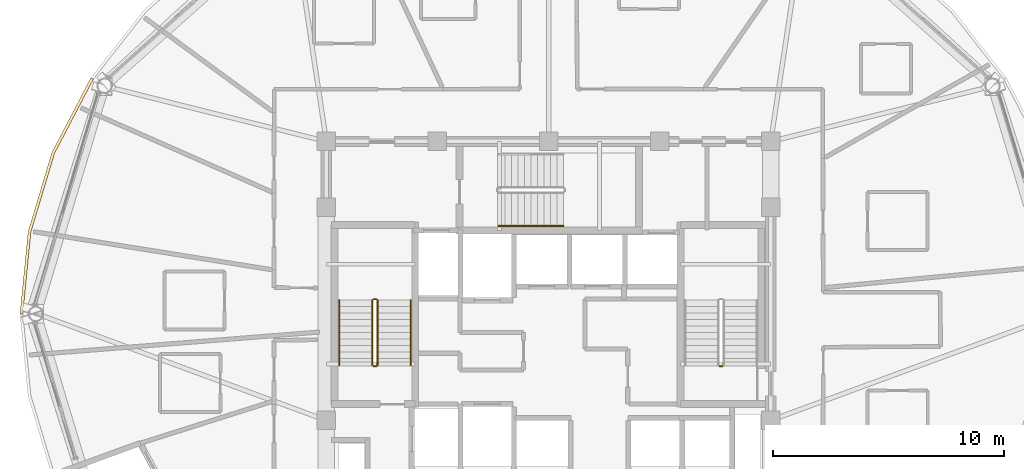
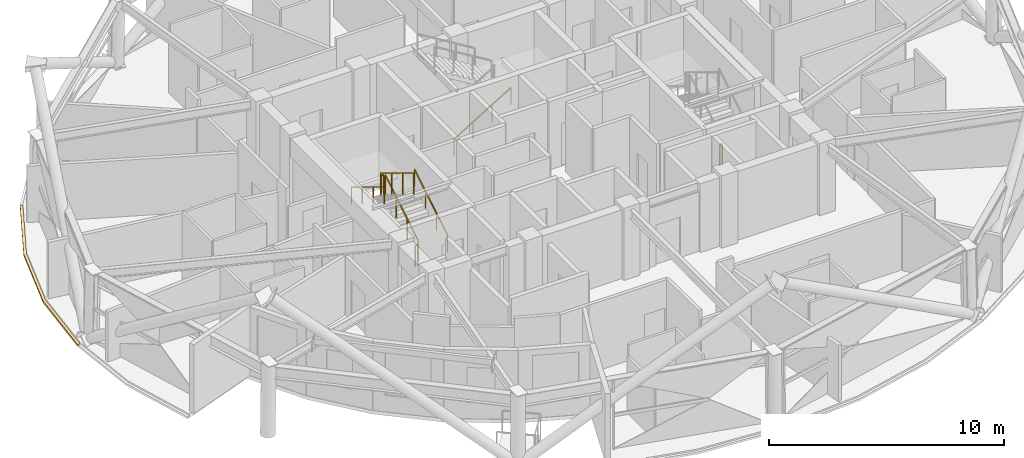
# One storey, part 16 of 18: 8 railings, 1 covering.
"""IFC4 building model written with IfcOpenShell, lengths in metres."""

import ifcopenshell
import ifcopenshell.guid

model = None  # the IFC model being written
_history = None  # IfcOwnerHistory: only IFC2X3 demands one
_inside = {}  # id of a spatial element -> (the spatial element, [elements in it])
_under = {}  # id of a project, library or spatial element -> (it, [spatial elements below it])
_declared = {}  # id of a project -> (the project, [libraries it declares])
_typed = {}  # id of a type object -> (the type object, [elements of that type])
_made_of = {}  # id of a material, layer set ... -> (it, [elements and type objects made of it])


def new_model(schema):
    """Start an empty IFC model of exactly this schema.

    Asked for "IFC4X3", IfcOpenShell would pick the latest addendum, in which some entities
    have other attributes; the version numbers below select the first issue.
    IFC2X3 requires an IfcOwnerHistory on every rooted entity: one is made here for all.
    """
    global model, _history
    if schema == "IFC4X3":
        model = ifcopenshell.file(schema_version=(4, 3, 0, 0))
    else:
        model = ifcopenshell.file(schema=schema)
    _inside.clear()
    _under.clear()
    _declared.clear()
    _typed.clear()
    _made_of.clear()
    _history = None
    if model.schema == "IFC2X3":
        org = make("IfcOrganization", Name="unknown")
        user = make(
            "IfcPersonAndOrganization",
            ThePerson=make("IfcPerson", FamilyName="unknown"),
            TheOrganization=org,
        )
        app = make(
            "IfcApplication",
            ApplicationDeveloper=org,
            Version="unknown",
            ApplicationFullName="unknown",
            ApplicationIdentifier="unknown",
        )
        _history = make(
            "IfcOwnerHistory",
            OwningUser=user,
            OwningApplication=app,
            ChangeAction="ADDED",
            CreationDate=0,
        )
    return model


def make(cls, **values):
    """One entity of the class cls with the attributes given. An attribute that is None is left unset."""
    return model.create_entity(
        cls, **{name: value for name, value in values.items() if value is not None}
    )


def rooted(cls, **values):
    """An entity with a GlobalId (a new one), such as an element, a storey or a relation."""
    return make(cls, GlobalId=ifcopenshell.guid.new(), OwnerHistory=_history, **values)


def si_unit(unit_type, name, prefix=None):
    """IfcSIUnit, for example si_unit("LENGTHUNIT", "METRE", prefix="MILLI")."""
    return make("IfcSIUnit", UnitType=unit_type, Prefix=prefix, Name=name)


def assignment(units):
    """IfcUnitAssignment: the units of a project."""
    return None if units is None else make("IfcUnitAssignment", Units=units)


def point(xyz):
    """IfcCartesianPoint."""
    return None if xyz is None else make("IfcCartesianPoint", Coordinates=xyz)


def direction(xyz):
    """IfcDirection."""
    return None if xyz is None else make("IfcDirection", DirectionRatios=xyz)


def frame(location, z_axis=None, x_axis=None):
    """IfcAxis2Placement3D, a coordinate frame: its origin and axes. An axis left out is left unset."""
    return make(
        "IfcAxis2Placement3D",
        Location=point(location),
        Axis=direction(z_axis),
        RefDirection=direction(x_axis),
    )


def frame_2d(location, x_axis=None):
    """IfcAxis2Placement2D, a coordinate frame in the plane: its origin and x axis."""
    return make(
        "IfcAxis2Placement2D", Location=point(location), RefDirection=direction(x_axis)
    )


def origin():
    """The frame at (0, 0, 0) with its axes left unset."""
    return frame((0.0, 0.0, 0.0))


def origin_2d():
    """The frame at (0, 0) in the plane with its x axis left unset."""
    return frame_2d((0.0, 0.0))


def place(relative_to, where):
    """IfcLocalPlacement: puts the frame where relative to a parent placement (None: the world)."""
    return make(
        "IfcLocalPlacement", PlacementRelTo=relative_to, RelativePlacement=where
    )


def context(
    kind, dimensions, precision=None, world=None, true_north=None, identifier=None
):
    """IfcGeometricRepresentationContext, for example the 3D "Model" context."""
    return make(
        "IfcGeometricRepresentationContext",
        ContextIdentifier=identifier,
        ContextType=kind,
        CoordinateSpaceDimension=dimensions,
        Precision=precision,
        WorldCoordinateSystem=world,
        TrueNorth=true_north,
    )


def subcontext(parent, identifier, kind, view, scale=None):
    """IfcGeometricRepresentationSubContext, for example "Body" below "Model"."""
    return make(
        "IfcGeometricRepresentationSubContext",
        ContextIdentifier=identifier,
        ContextType=kind,
        ParentContext=parent,
        TargetScale=scale,
        TargetView=view,
    )


def project(units=None, contexts=None):
    """IfcProject with its units and contexts."""
    return rooted(
        "IfcProject",
        Name="project",
        RepresentationContexts=contexts,
        UnitsInContext=assignment(units),
    )


def spatial(cls, under=None, at=None, **own):
    """A site, building, storey or space (cls), placed at a placement, below another one or the project."""
    s = rooted(cls, ObjectPlacement=at, **own)
    if under is not None:
        _under.setdefault(under.id(), (under, []))[1].append(s)
    return s


def polyline(points):
    """IfcPolyline through the points."""
    return make("IfcPolyline", Points=[point(p) for p in points])


def profile(cls, at=None, kind="AREA", **sizes):
    """A parametric profile (cls). Its sizes go by their IFC names, for example OverallWidth=200.0."""
    return make(cls, ProfileType=kind, Position=at, **sizes)


def rectangle(**sizes):
    """IfcRectangleProfileDef."""
    return profile("IfcRectangleProfileDef", **sizes)


def outline(outer, holes=None, kind="AREA"):
    """IfcArbitraryClosedProfileDef: a profile drawn as a closed curve; with holes, ...WithVoids."""
    if holes is None:
        return make("IfcArbitraryClosedProfileDef", ProfileType=kind, OuterCurve=outer)
    return make(
        "IfcArbitraryProfileDefWithVoids",
        ProfileType=kind,
        OuterCurve=outer,
        InnerCurves=holes,
    )


def extrude(swept, where, along, depth):
    """IfcExtrudedAreaSolid: the profile swept, set in the frame where, extruded along a direction by depth."""
    return make(
        "IfcExtrudedAreaSolid",
        SweptArea=swept,
        Position=where,
        ExtrudedDirection=direction(along),
        Depth=depth,
    )


def shape(context_of_items, identifier, shape_type, items):
    """IfcShapeRepresentation: the items that make up one representation, for example the "Body"."""
    return make(
        "IfcShapeRepresentation",
        ContextOfItems=context_of_items,
        RepresentationIdentifier=identifier,
        RepresentationType=shape_type,
        Items=items,
    )


def material(Name=None, Category=None):
    """IfcMaterial."""
    return make("IfcMaterial", Name=Name, Category=Category)


def layer(
    of_material, thickness, ventilated=None, Name=None, Category=None, Priority=None
):
    """IfcMaterialLayer: one layer of a wall or slab, of a material (None: an air gap)."""
    return make(
        "IfcMaterialLayer",
        Material=of_material,
        LayerThickness=thickness,
        IsVentilated=ventilated,
        Name=Name,
        Category=Category,
        Priority=Priority,
    )


def layer_set(layers, Name=None):
    """IfcMaterialLayerSet."""
    return make("IfcMaterialLayerSet", MaterialLayers=layers, LayerSetName=Name)


def made_of(thing, what):
    """Note that an element or type object is made of a material, layer set ...; save() writes the relation."""
    if what is not None:
        _made_of.setdefault(what.id(), (what, []))[1].append(thing)
    return thing


def type_object(cls, material=None, **own):
    """A type object (cls), such as IfcWallType, which elements share."""
    return made_of(rooted(cls, **own), material)


def element(
    cls,
    number,
    at=None,
    inside=None,
    cuts=None,
    type_object=None,
    material=None,
    context=None,
    identifier="Body",
    shape_type=None,
    held_by="IfcProductDefinitionShape",
    body=None,
    shapes=None,
    **own,
):
    """One element of the class cls, such as IfcWall. Its Tag is "e" and its number.

    at: its placement. inside: the storey or other place that contains it. cuts: it is an
    opening in that element (IfcRelVoidsElement). A single representation is given by context,
    identifier, shape_type and body (its items); several are given by shapes. held_by: the class
    of the entity that holds the representations. save() writes the other relations.
    """
    e = rooted(cls, Tag="e%d" % number, ObjectPlacement=at, **own)
    if body is not None:
        shapes = [shape(context, identifier, shape_type, body)]
    if shapes is not None:
        e.Representation = make(held_by, Representations=shapes)
    if inside is not None:
        _inside.setdefault(inside.id(), (inside, []))[1].append(e)
    if cuts is not None:
        rooted(
            "IfcRelVoidsElement", RelatingBuildingElement=cuts, RelatedOpeningElement=e
        )
    if type_object is not None:
        _typed.setdefault(type_object.id(), (type_object, []))[1].append(e)
    return made_of(e, material)


def aggregate(whole, parts):
    """IfcRelAggregates: a whole, such as a stair, and the parts it consists of."""
    return rooted("IfcRelAggregates", RelatingObject=whole, RelatedObjects=parts)


def save(model, path):
    """Write the relations noted so far, then the file.

    IfcRelAggregates (storeys below a building ...), IfcRelContainedInSpatialStructure (elements
    in a storey), IfcRelDefinesByType, IfcRelAssociatesMaterial and IfcRelDeclares: one each for
    every whole, place, type object, material and project.
    """
    for whole, parts in _under.values():
        aggregate(whole, parts)
    for where, things in _inside.values():
        rooted(
            "IfcRelContainedInSpatialStructure",
            RelatedElements=things,
            RelatingStructure=where,
        )
    for kind, things in _typed.values():
        rooted("IfcRelDefinesByType", RelatedObjects=things, RelatingType=kind)
    for what, things in _made_of.values():
        rooted("IfcRelAssociatesMaterial", RelatedObjects=things, RelatingMaterial=what)
    for by, libraries in _declared.values():
        rooted("IfcRelDeclares", RelatingContext=by, RelatedDefinitions=libraries)
    model.write(path)


model = new_model("IFC4")

# Units and contexts
model_context = context("Model", 3, precision=1e-05, world=origin(), true_north=direction((0.0, 1.0)))
body_context = subcontext(model_context, "Body", "Model", "MODEL_VIEW")
ifc_project = project(units=[si_unit("LENGTHUNIT", "METRE"), si_unit("AREAUNIT", "SQUARE_METRE"), si_unit("VOLUMEUNIT", "CUBIC_METRE"), si_unit("PLANEANGLEUNIT", "RADIAN"), si_unit("MASSUNIT", "GRAM", prefix="KILO")], contexts=[model_context])

# Site, building, storey
site_placement = place(None, origin())
site = spatial("IfcSite", under=ifc_project, at=site_placement, CompositionType="ELEMENT")
building_placement = place(site_placement, origin())
building = spatial("IfcBuilding", under=site, at=building_placement, Name="Vantalir Tower", CompositionType="ELEMENT")
storey_placement = place(building_placement, frame((0.0, 0.0, 212.39990234375)))
storey = spatial("IfcBuildingStorey", under=building, at=storey_placement, Name="L53", CompositionType="ELEMENT", Elevation=212.39990234375)

# Covering
ifc_material_1 = material(Name="Anodised champagne aluminium sill fascia", Category="aluminium")
ifc_layer = layer(ifc_material_1, 0.125)
ifc_layer_set = layer_set([ifc_layer], Name="Anodised champagne aluminium sill fascia")
covering_type = type_object("IfcCoveringType", Name="COV-SLAB-FASCIA-125", PredefinedType="CLADDING", material=ifc_layer_set)
covering_placement = place(storey_placement, frame((0.0, 0.0, -0.179931640625)))
element("IfcCovering", 1, at=covering_placement, inside=storey, type_object=covering_type, Name="L53 Perimeter Slab-Edge Sill Fascia 06", PredefinedType="CLADDING", context=body_context, shape_type="SweptSolid", body=[
    extrude(outline(polyline([(11.722900390625, 35.200927734375), (10.041015625, 31.97802734375), (9.010986328125, 28.54296875), (8.6640625, 25.0), (8.7890625, 25.0), (9.134033203125, 28.52099609375), (10.158935546875, 31.93505859375), (11.83203125, 35.137939453125), (11.722900390625, 35.200927734375)])), origin(), (0.0, 0.0, 1.0), 0.10498046875),
])

# Railings
ifc_material_2 = material(Name="Anodised aluminium and stainless steel guard", Category="steel")
railing_type_1 = type_object("IfcRailingType", Name="RAL-GUARD-1120", PredefinedType="GUARDRAIL", material=ifc_material_2)
railing_1_placement = place(storey_placement, frame((24.110107421875, 22.7900390625, 0.170654296875)))
element("IfcRailing", 2, at=railing_1_placement, inside=storey, type_object=railing_type_1, Name="L53 ST1 stair guard 1", PredefinedType="GUARDRAIL", context=body_context, shape_type="SweptSolid", body=[
    extrude(rectangle(XDim=0.048095703125, YDim=0.048095703125, at=origin_2d()), frame((0.0, 0.0, 1.09619140625), z_axis=(0.0, 0.854202870247, 0.519939858505), x_axis=(-1.0, 0.0, 0.0)), (0.0, 0.0, 1.0), 3.278076171875),
    extrude(rectangle(XDim=0.0419921875, YDim=0.0419921875, at=origin_2d()), origin(), (0.0, 0.0, 1.0), 1.072021484375),
    extrude(rectangle(XDim=0.0419921875, YDim=0.0419921875, at=origin_2d()), frame((0.0, 0.933349609375, 0.568115234375)), (0.0, 0.0, 1.0), 1.072021484375),
    extrude(rectangle(XDim=0.0419921875, YDim=0.0419921875, at=origin_2d()), frame((0.0, 1.86669921875, 1.13623046875)), (0.0, 0.0, 1.0), 1.072021484375),
    extrude(rectangle(XDim=0.0419921875, YDim=0.0419921875, at=origin_2d()), frame((0.0, 2.800048828125, 1.704345703125)), (0.0, 0.0, 1.0), 1.072021484375),
])
railing_2_placement = place(storey_placement, frame((24.06005859375, 25.639892578125, 1.875)))
element("IfcRailing", 3, at=railing_2_placement, inside=storey, type_object=railing_type_1, Name="L53 ST1 stair guard 2", PredefinedType="GUARDRAIL", context=body_context, shape_type="SweptSolid", body=[
    extrude(rectangle(XDim=0.048095703125, YDim=0.048095703125, at=origin_2d()), frame((0.0, 0.0, 1.09619140625), z_axis=(-1.0, 0.0, 0.0), x_axis=(0.0, -1.0, 0.0)), (0.0, 0.0, 1.0), 0.1201171875),
    extrude(rectangle(XDim=0.0419921875, YDim=0.0419921875, at=origin_2d()), origin(), (0.0, 0.0, 1.0), 1.072021484375),
    extrude(rectangle(XDim=0.0419921875, YDim=0.0419921875, at=origin_2d()), frame((-0.1201171875, 0.0, 0.0)), (0.0, 0.0, 1.0), 1.072021484375),
])
railing_3_placement = place(storey_placement, frame((23.889892578125, 25.590087890625, 2.045654296875)))
element("IfcRailing", 4, at=railing_3_placement, inside=storey, type_object=railing_type_1, Name="L53 ST1 stair guard 3", PredefinedType="GUARDRAIL", context=body_context, shape_type="SweptSolid", body=[
    extrude(rectangle(XDim=0.048095703125, YDim=0.048095703125, at=origin_2d()), frame((0.0, 0.0, 1.09619140625), z_axis=(0.0, -0.854202870247, 0.519939858505), x_axis=(1.0, 0.0, 0.0)), (0.0, 0.0, 1.0), 3.278076171875),
    extrude(rectangle(XDim=0.0419921875, YDim=0.0419921875, at=origin_2d()), origin(), (0.0, 0.0, 1.0), 1.072021484375),
    extrude(rectangle(XDim=0.0419921875, YDim=0.0419921875, at=origin_2d()), frame((0.0, -0.933349609375, 0.568115234375)), (0.0, 0.0, 1.0), 1.072021484375),
    extrude(rectangle(XDim=0.0419921875, YDim=0.0419921875, at=origin_2d()), frame((0.0, -1.86669921875, 1.13623046875)), (0.0, 0.0, 1.0), 1.072021484375),
    extrude(rectangle(XDim=0.0419921875, YDim=0.0419921875, at=origin_2d()), frame((0.0, -2.800048828125, 1.704345703125)), (0.0, 0.0, 1.0), 1.072021484375),
])
for number, where, name in (
    (5, (24.06005859375, 22.739990234375, 0.0), "L53 ST1 stair guard 4"),
    (6, (39.010009765625, 22.739990234375, 0.0), "L53 ST2 stair guard 4"),
):
    element("IfcRailing", number, at=place(storey_placement, frame(where)), inside=storey, type_object=railing_type_1, Name=name, PredefinedType="GUARDRAIL", context=body_context, shape_type="SweptSolid", body=[
        extrude(rectangle(XDim=0.048095703125, YDim=0.048095703125, at=origin_2d()), frame((0.0, 0.0, 1.09619140625), z_axis=(-1.0, 0.0, 0.0), x_axis=(0.0, -1.0, 0.0)), (0.0, 0.0, 1.0), 0.1201171875),
        extrude(rectangle(XDim=0.0419921875, YDim=0.0419921875, at=origin_2d()), origin(), (0.0, 0.0, 1.0), 1.072021484375),
        extrude(rectangle(XDim=0.0419921875, YDim=0.0419921875, at=origin_2d()), frame((-0.1201171875, 0.0, 0.0)), (0.0, 0.0, 1.0), 1.072021484375),
    ])
ifc_material_3 = material(Name="Brushed stainless steel tubular handrail", Category="steel")
railing_type_2 = type_object("IfcRailingType", Name="RAL-HANDRAIL-900", PredefinedType="HANDRAIL", material=ifc_material_3)
railing_4_placement = place(storey_placement, frame((25.550048828125, 22.7900390625, 0.170654296875)))
element("IfcRailing", 7, at=railing_4_placement, inside=storey, type_object=railing_type_2, Name="L53 ST1 stair handrail 1", PredefinedType="HANDRAIL", context=body_context, shape_type="SweptSolid", body=[
    extrude(rectangle(XDim=0.048095703125, YDim=0.048095703125, at=origin_2d()), frame((0.0, 0.0, 0.8759765625), z_axis=(0.0, 0.854202870247, 0.519939858505), x_axis=(-1.0, 0.0, 0.0)), (0.0, 0.0, 1.0), 3.278076171875),
    extrude(rectangle(XDim=0.0419921875, YDim=0.0419921875, at=origin_2d()), origin(), (0.0, 0.0, 1.0), 0.851806640625),
    extrude(rectangle(XDim=0.0419921875, YDim=0.0419921875, at=origin_2d()), frame((0.0, 0.933349609375, 0.568115234375)), (0.0, 0.0, 1.0), 0.851806640625),
    extrude(rectangle(XDim=0.0419921875, YDim=0.0419921875, at=origin_2d()), frame((0.0, 1.86669921875, 1.13623046875)), (0.0, 0.0, 1.0), 0.851806640625),
    extrude(rectangle(XDim=0.0419921875, YDim=0.0419921875, at=origin_2d()), frame((0.0, 2.800048828125, 1.704345703125)), (0.0, 0.0, 1.0), 0.851806640625),
])
railing_5_placement = place(storey_placement, frame((22.449951171875, 25.590087890625, 2.045654296875)))
element("IfcRailing", 8, at=railing_5_placement, inside=storey, type_object=railing_type_2, Name="L53 ST1 stair handrail 2", PredefinedType="HANDRAIL", context=body_context, shape_type="SweptSolid", body=[
    extrude(rectangle(XDim=0.048095703125, YDim=0.048095703125, at=origin_2d()), frame((0.0, 0.0, 0.8759765625), z_axis=(0.0, -0.854202870247, 0.519939858505), x_axis=(1.0, 0.0, 0.0)), (0.0, 0.0, 1.0), 3.278076171875),
    extrude(rectangle(XDim=0.0419921875, YDim=0.0419921875, at=origin_2d()), origin(), (0.0, 0.0, 1.0), 0.851806640625),
    extrude(rectangle(XDim=0.0419921875, YDim=0.0419921875, at=origin_2d()), frame((0.0, -0.933349609375, 0.568115234375)), (0.0, 0.0, 1.0), 0.851806640625),
    extrude(rectangle(XDim=0.0419921875, YDim=0.0419921875, at=origin_2d()), frame((0.0, -1.86669921875, 1.13623046875)), (0.0, 0.0, 1.0), 0.851806640625),
    extrude(rectangle(XDim=0.0419921875, YDim=0.0419921875, at=origin_2d()), frame((0.0, -2.800048828125, 1.704345703125)), (0.0, 0.0, 1.0), 0.851806640625),
])
railing_6_placement = place(storey_placement, frame((29.340087890625, 28.800048828125, 0.170654296875)))
element("IfcRailing", 9, at=railing_6_placement, inside=storey, type_object=railing_type_2, Name="L53 ST3 stair handrail 1", PredefinedType="HANDRAIL", context=body_context, shape_type="SweptSolid", body=[
    extrude(rectangle(XDim=0.048095703125, YDim=0.048095703125, at=origin_2d()), frame((0.0, 0.0, 0.8759765625), z_axis=(0.854182733786, 0.0, 0.519972939009), x_axis=(0.0, 1.0, 0.0)), (0.0, 0.0, 1.0), 3.27783203125),
    extrude(rectangle(XDim=0.0419921875, YDim=0.0419921875, at=origin_2d()), origin(), (0.0, 0.0, 1.0), 0.851806640625),
    extrude(rectangle(XDim=0.0419921875, YDim=0.0419921875, at=origin_2d()), frame((0.933349609375, 0.0, 0.568115234375)), (0.0, 0.0, 1.0), 0.851806640625),
    extrude(rectangle(XDim=0.0419921875, YDim=0.0419921875, at=origin_2d()), frame((1.866455078125, 0.0, 1.13623046875)), (0.0, 0.0, 1.0), 0.851806640625),
    extrude(rectangle(XDim=0.0419921875, YDim=0.0419921875, at=origin_2d()), frame((2.7998046875, 0.0, 1.704345703125)), (0.0, 0.0, 1.0), 0.851806640625),
])

save(model, "model.ifc")
